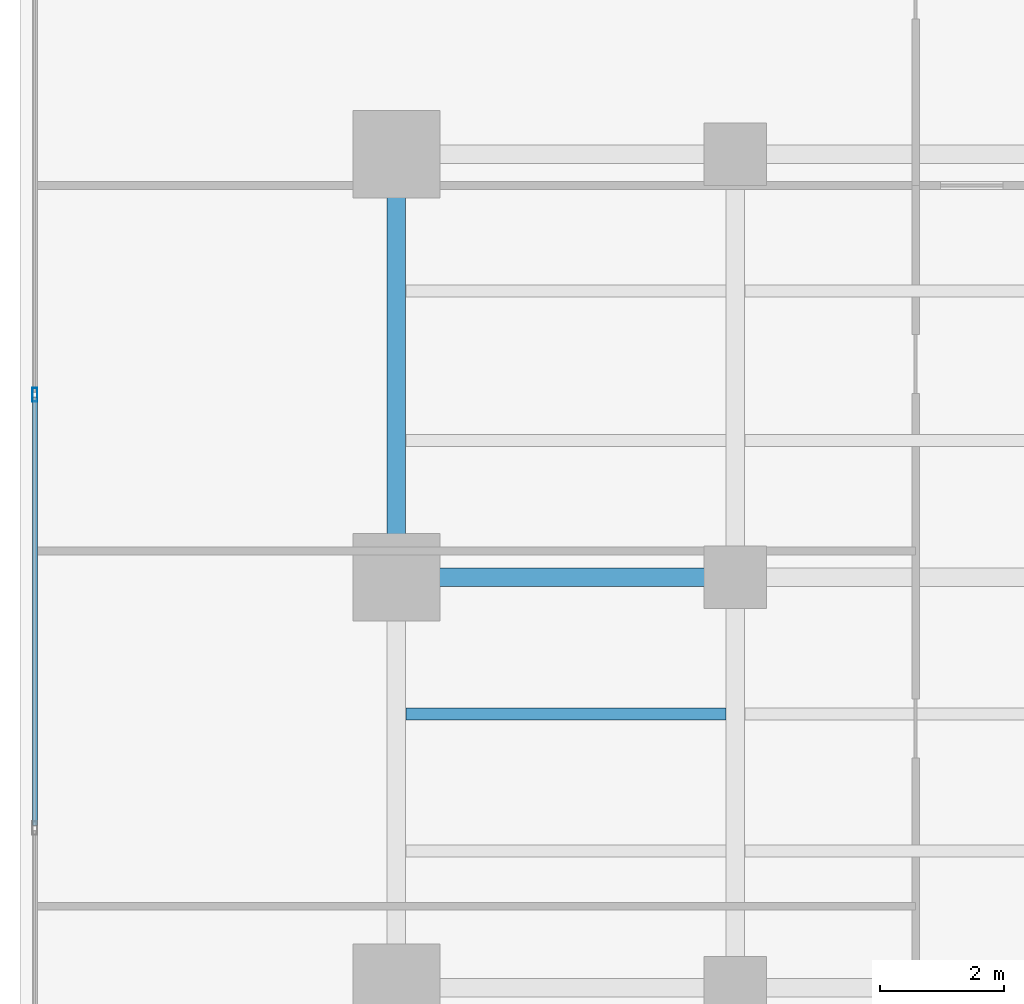
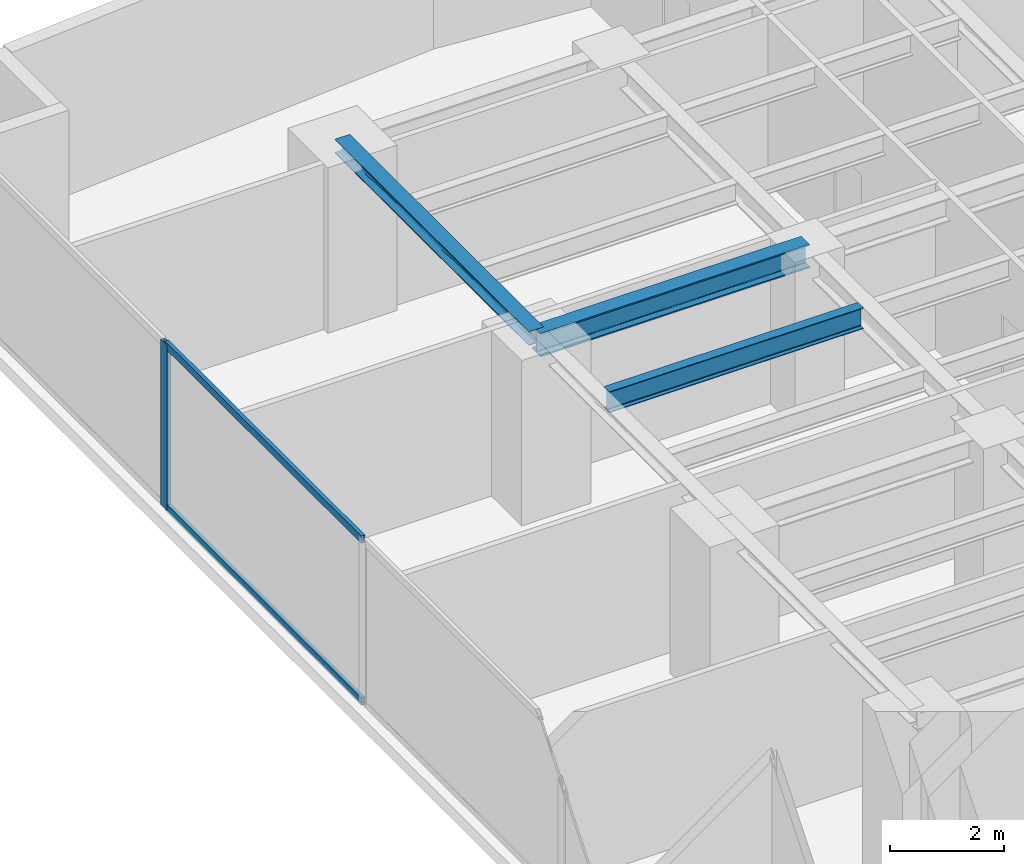
# One storey, part 14 of 24: 3 beams, 3 members, 1 element without a shape of its own.
"""IFC4 building model written with IfcOpenShell, lengths in metres."""

from ifc_helpers import new_model, si_unit, direction, frame, origin, origin_with_axes, origin_2d, place, context, subcontext, project, spatial, hollow_rectangle, i_section, extrude, source, transform, mapped, material, layer, layer_set, material_profile, profile_set, type_object, element, aggregate, save


model = new_model("IFC4")

# Units and contexts
model_context = context("Model", 3, precision=1e-05, world=origin(), true_north=direction((0.0, 1.0)))
body_context = subcontext(model_context, "Body", "Model", "MODEL_VIEW")
ifc_project = project(units=[si_unit("LENGTHUNIT", "METRE"), si_unit("AREAUNIT", "SQUARE_METRE"), si_unit("VOLUMEUNIT", "CUBIC_METRE"), si_unit("PLANEANGLEUNIT", "RADIAN"), si_unit("MASSUNIT", "GRAM", prefix="KILO")], contexts=[model_context])

# Site, building, storey
site_placement = place(None, origin())
site = spatial("IfcSite", under=ifc_project, at=site_placement, CompositionType="ELEMENT")
building_placement = place(site_placement, origin())
building = spatial("IfcBuilding", under=site, at=building_placement, Name="Kolvaren Waterfront Exchange", CompositionType="ELEMENT")
storey_placement = place(building_placement, frame((0.0, 0.0, 91.699951171875)))
storey = spatial("IfcBuildingStorey", under=building, at=storey_placement, Name="L23", CompositionType="ELEMENT", Elevation=91.699951171875)

# Beams
ifc_material_1 = material(Name="Steel S355", Category="steel")
ifc_material_profile_1 = material_profile(ifc_material_1, i_section(OverallWidth=0.300048828125, OverallDepth=0.300048828125, WebThickness=0.010986328125, FlangeThickness=0.01904296875, FilletRadius=0.027099609375, at=origin_2d()), Name="HEB300")
ifc_profile_set_1 = profile_set([ifc_material_profile_1], Name="Steel S355")
beam_type_1 = type_object("IfcBeamType", Name="STR-BM-HEB300", PredefinedType="SPANDREL", material=ifc_profile_set_1)
beam_1_placement = place(storey_placement, frame((7.449951171875, 37.800048828125, 3.39013671875), z_axis=(0.0, 1.0, 0.0), x_axis=(-1.0, 0.0, 0.0)))
element("IfcBeam", 1, at=beam_1_placement, inside=storey, type_object=beam_type_1, Name="L23 north-arm edge beam 3", PredefinedType="SPANDREL", context=body_context, shape_type="SweptSolid", body=[
    extrude(i_section(OverallWidth=0.300048828125, OverallDepth=0.300048828125, WebThickness=0.010986328125, FlangeThickness=0.01904296875, FilletRadius=0.027099609375, at=origin_2d()), origin(), (0.0, 0.0, 1.0), 6.800048828125),
])
ifc_material_profile_2 = material_profile(ifc_material_1, i_section(OverallWidth=0.300048828125, OverallDepth=0.5, WebThickness=0.014404296875, FlangeThickness=0.028076171875, FilletRadius=0.027099609375, at=origin_2d()), Name="HEB500")
ifc_profile_set_2 = profile_set([ifc_material_profile_2], Name="Steel S355")
beam_type_2 = type_object("IfcBeamType", Name="STR-BM-HEB500", PredefinedType="BEAM", material=ifc_profile_set_2)
beam_2_placement = place(storey_placement, frame((7.449951171875, 37.800048828125, 3.2900390625), z_axis=(1.0, 0.0, 0.0), x_axis=(0.0, 1.0, 0.0)))
element("IfcBeam", 2, at=beam_2_placement, inside=storey, type_object=beam_type_2, Name="L23 north-arm girder 3A", PredefinedType="BEAM", context=body_context, shape_type="SweptSolid", body=[
    extrude(i_section(OverallWidth=0.300048828125, OverallDepth=0.5, WebThickness=0.014404296875, FlangeThickness=0.028076171875, FilletRadius=0.027099609375, at=origin_2d()), origin(), (0.0, 0.0, 1.0), 5.449951171875),
])
ifc_material_profile_3 = material_profile(ifc_material_1, i_section(OverallWidth=0.18994140625, OverallDepth=0.449951171875, WebThickness=0.009521484375, FlangeThickness=0.0146484375, FilletRadius=0.02099609375, at=origin_2d()), Name="IPE450")
ifc_profile_set_3 = profile_set([ifc_material_profile_3], Name="Steel S355")
beam_type_3 = type_object("IfcBeamType", Name="STR-BM-IPE450", PredefinedType="JOIST", material=ifc_profile_set_3)
beam_3_placement = place(storey_placement, frame((7.60205078125, 35.60009765625, 3.31494140625), z_axis=(1.0, 0.0, 0.0), x_axis=(0.0, 1.0, 0.0)))
element("IfcBeam", 3, at=beam_3_placement, inside=storey, type_object=beam_type_3, Name="L23 north-arm composite joist 4A", PredefinedType="JOIST", context=body_context, shape_type="SweptSolid", body=[
    extrude(i_section(OverallWidth=0.18994140625, OverallDepth=0.449951171875, WebThickness=0.009521484375, FlangeThickness=0.0146484375, FilletRadius=0.02099609375, at=origin_2d()), origin(), (0.0, 0.0, 1.0), 5.14599609375),
])

# Curtain wall, members
ifc_material_2 = material(Name="Anodised aluminium 6063-T6", Category="aluminium")
ifc_layer = layer(ifc_material_2, 0.219970703125, Name="Anodised aluminium 6063-T6")
ifc_layer_set = layer_set([ifc_layer], Name="Anodised aluminium 6063-T6")
curtain_wall_type = type_object("IfcCurtainWallType", Name="ARC-CW-SYS2", PredefinedType="USERDEFINED", material=ifc_layer_set)
curtain_wall_placement = place(storey_placement, origin())
curtain_wall = element("IfcCurtainWall", 4, at=curtain_wall_placement, inside=storey, type_object=curtain_wall_type, Name="L23 stick curtain wall CW2 (CW-L23-W)", ObjectType="STICK CURTAIN WALL", PredefinedType="USERDEFINED")
ifc_material_profile_4 = material_profile(ifc_material_2, hollow_rectangle(XDim=0.080078125, YDim=0.219970703125, WallThickness=0.0048828125, at=origin_2d()), Name="ALU-MUL-220x80x5")
ifc_profile_set_4 = profile_set([ifc_material_profile_4], Name="Anodised aluminium 6063-T6")
member_type_1 = type_object("IfcMemberType", Name="ARC-CWM-220", PredefinedType="MULLION", material=ifc_profile_set_4)
shared_shape_1 = source(origin_with_axes(), body_context, "Body", "SweptSolid", [
    extrude(hollow_rectangle(XDim=0.080078125, YDim=0.219970703125, WallThickness=0.0048828125, at=origin_2d()), origin(), (0.0, 0.0, 1.0), 3.5400390625),
])
member_1_placement = place(storey_placement, frame((1.639892578125, 40.7333984375, 0.0), z_axis=(0.0, 0.0, 1.0), x_axis=(-1.0, 0.0, 0.0)))
member_1 = element("IfcMember", 5, at=member_1_placement, type_object=member_type_1, Name="CW2 mullion 6", PredefinedType="MULLION", context=body_context, shape_type="MappedRepresentation", body=[
    mapped(shared_shape_1, transform((0.0, 0.0, 0.0), x_axis=(1.0, 0.0, 0.0), y_axis=(0.0, 1.0, 0.0), z_axis=(0.0, 0.0, 1.0), scale=1.0)),
])
ifc_material_profile_5 = material_profile(ifc_material_2, hollow_rectangle(XDim=0.074951171875, YDim=0.159912109375, WallThickness=0.00439453125, at=origin_2d()), Name="ALU-TRN-160x75x4.5")
ifc_profile_set_5 = profile_set([ifc_material_profile_5], Name="Anodised aluminium 6063-T6")
member_type_2 = type_object("IfcMemberType", Name="ARC-CWT-160", PredefinedType="USERDEFINED", material=ifc_profile_set_5)
shared_shape_2 = source(origin_with_axes(), body_context, "Body", "SweptSolid", [
    extrude(hollow_rectangle(XDim=0.074951171875, YDim=0.159912109375, WallThickness=0.00439453125, at=origin_2d()), origin(), (0.0, 0.0, 1.0), 6.88671875),
])
member_2_placement = place(storey_placement, frame((1.639892578125, 33.806640625, 0.03759765625), z_axis=(0.0, 1.0, 0.0), x_axis=(-1.0, 0.0, 0.0)))
member_2 = element("IfcMember", 6, at=member_2_placement, type_object=member_type_2, Name="CW2 transom 5.1", ObjectType="TRANSOM", PredefinedType="USERDEFINED", context=body_context, shape_type="MappedRepresentation", body=[
    mapped(shared_shape_2, transform((0.0, 0.0, 0.0), x_axis=(1.0, 0.0, 0.0), y_axis=(0.0, 1.0, 0.0), z_axis=(0.0, 0.0, 1.0), scale=1.0)),
])
member_3_placement = place(storey_placement, frame((1.639892578125, 33.806640625, 3.50244140625), z_axis=(0.0, 1.0, 0.0), x_axis=(-1.0, 0.0, 0.0)))
member_3 = element("IfcMember", 7, at=member_3_placement, type_object=member_type_2, Name="CW2 transom 5.2", ObjectType="TRANSOM", PredefinedType="USERDEFINED", context=body_context, shape_type="MappedRepresentation", body=[
    mapped(shared_shape_2, transform((0.0, 0.0, 0.0), x_axis=(1.0, 0.0, 0.0), y_axis=(0.0, 1.0, 0.0), z_axis=(0.0, 0.0, 1.0), scale=1.0)),
])
aggregate(curtain_wall, [member_1, member_2, member_3])

save(model, "model.ifc")
